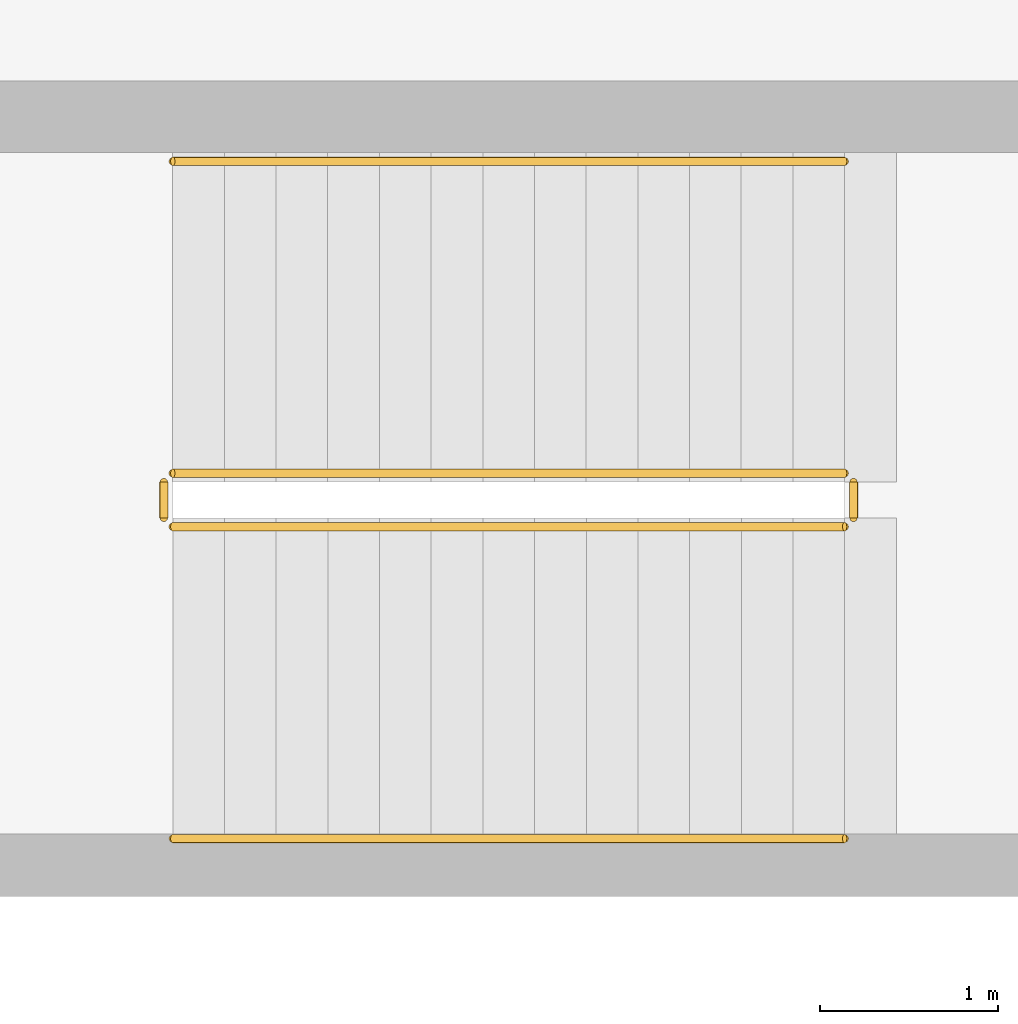
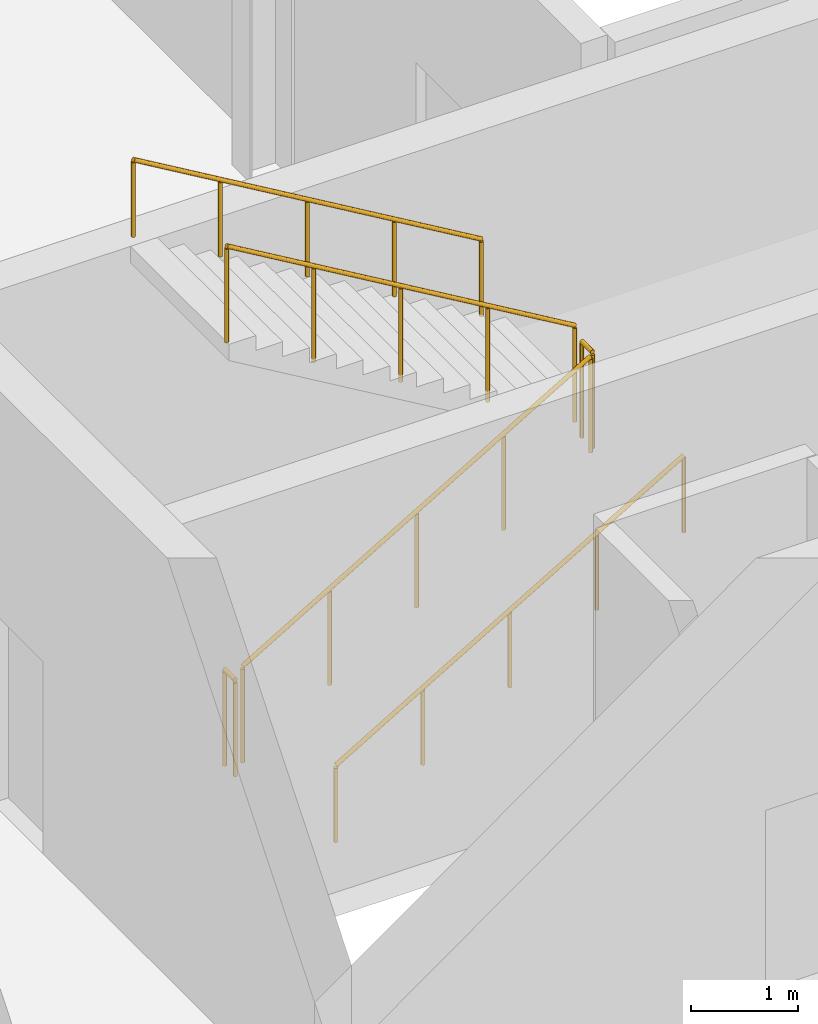
# One storey, part 84 of 91: 6 railings.
"""IFC4 building model written with IfcOpenShell, lengths in metres."""

from ifc_helpers import new_model, si_unit, direction, frame, origin, origin_2d, place, context, subcontext, project, spatial, circle, extrude, material, type_object, element, save


model = new_model("IFC4")

# Units and contexts
model_context = context("Model", 3, precision=1e-05, world=origin(), true_north=direction((0.0, 1.0)))
body_context = subcontext(model_context, "Body", "Model", "MODEL_VIEW")
ifc_project = project(units=[si_unit("LENGTHUNIT", "METRE"), si_unit("AREAUNIT", "SQUARE_METRE"), si_unit("VOLUMEUNIT", "CUBIC_METRE"), si_unit("PLANEANGLEUNIT", "RADIAN"), si_unit("MASSUNIT", "GRAM", prefix="KILO")], contexts=[model_context])

# Site, building, storey
site_placement = place(None, origin())
site = spatial("IfcSite", under=ifc_project, at=site_placement, CompositionType="ELEMENT")
building_placement = place(site_placement, origin())
building = spatial("IfcBuilding", under=site, at=building_placement, Name="Sollismere Congress Hotel", CompositionType="ELEMENT")
storey_placement = place(building_placement, frame((0.0, 0.0, 10.800048828125)))
storey = spatial("IfcBuildingStorey", under=building, at=storey_placement, Name="L02", CompositionType="ELEMENT", Elevation=10.800048828125)

# Railings
ifc_material_1 = material(Name="Steel ASTM A500 Grade C", Category="steel")
railing_type_1 = type_object("IfcRailingType", Name="RL-GRD112", PredefinedType="GUARDRAIL", material=ifc_material_1)
railing_1_placement = place(storey_placement, frame((52.85009765625, 16.25, 0.17138671875)))
element("IfcRailing", 1, at=railing_1_placement, inside=storey, type_object=railing_type_1, Name="RLG-RG-ST-06-L02-1", PredefinedType="GUARDRAIL", context=body_context, shape_type="SweptSolid", body=[
    extrude(circle(Radius=0.02392578125, at=origin_2d()), frame((0.0, 0.0, 1.09619140625), z_axis=(0.860848830602, 0.0, 0.508860777473), x_axis=(0.0, 1.0, 0.0)), (0.0, 0.0, 1.0), 4.37939453125),
    extrude(circle(Radius=0.02099609375, at=origin_2d()), origin(), (0.0, 0.0, 1.0), 1.072021484375),
    extrude(circle(Radius=0.02099609375, at=origin_2d()), frame((0.9423828125, 0.0, 0.55712890625)), (0.0, 0.0, 1.0), 1.072021484375),
    extrude(circle(Radius=0.02099609375, at=origin_2d()), frame((1.885009765625, 0.0, 1.1142578125)), (0.0, 0.0, 1.0), 1.072021484375),
    extrude(circle(Radius=0.02099609375, at=origin_2d()), frame((2.82763671875, 0.0, 1.67138671875)), (0.0, 0.0, 1.0), 1.072021484375),
    extrude(circle(Radius=0.02099609375, at=origin_2d()), frame((3.77001953125, 0.0, 2.228515625)), (0.0, 0.0, 1.0), 1.072021484375),
])
railing_2_placement = place(storey_placement, frame((56.669921875, 16.300048828125, 2.39990234375)))
element("IfcRailing", 2, at=railing_2_placement, inside=storey, type_object=railing_type_1, Name="RLG-RG-ST-06-L02-2", PredefinedType="GUARDRAIL", context=body_context, shape_type="SweptSolid", body=[
    extrude(circle(Radius=0.02392578125, at=origin_2d()), frame((0.0, 0.0, 1.09619140625), z_axis=(0.0, 1.0, 0.0), x_axis=(-1.0, 0.0, 0.0)), (0.0, 0.0, 1.0), 0.199951171875),
    extrude(circle(Radius=0.02099609375, at=origin_2d()), origin(), (0.0, 0.0, 1.0), 1.072021484375),
    extrude(circle(Radius=0.02099609375, at=origin_2d()), frame((0.0, 0.199951171875, 0.0)), (0.0, 0.0, 1.0), 1.072021484375),
])
railing_3_placement = place(storey_placement, frame((56.6201171875, 16.550048828125, 2.5712890625)))
element("IfcRailing", 3, at=railing_3_placement, inside=storey, type_object=railing_type_1, Name="RLG-RG-ST-06-L02-3", PredefinedType="GUARDRAIL", context=body_context, shape_type="SweptSolid", body=[
    extrude(circle(Radius=0.02392578125, at=origin_2d()), frame((0.0, 0.0, 1.09619140625), z_axis=(-0.860824410104, 0.0, 0.508902087802), x_axis=(0.0, -1.0, 0.0)), (0.0, 0.0, 1.0), 4.379638671875),
    extrude(circle(Radius=0.02099609375, at=origin_2d()), origin(), (0.0, 0.0, 1.0), 1.072021484375),
    extrude(circle(Radius=0.02099609375, at=origin_2d()), frame((-0.9423828125, 0.0, 0.55712890625)), (0.0, 0.0, 1.0), 1.072021484375),
    extrude(circle(Radius=0.02099609375, at=origin_2d()), frame((-1.885009765625, 0.0, 1.1142578125)), (0.0, 0.0, 1.0), 1.072021484375),
    extrude(circle(Radius=0.02099609375, at=origin_2d()), frame((-2.82763671875, 0.0, 1.671630859375)), (0.0, 0.0, 1.0), 1.072021484375),
    extrude(circle(Radius=0.02099609375, at=origin_2d()), frame((-3.77001953125, 0.0, 2.228759765625)), (0.0, 0.0, 1.0), 1.072021484375),
])
railing_4_placement = place(storey_placement, frame((52.800048828125, 16.300048828125, 0.0)))
element("IfcRailing", 4, at=railing_4_placement, inside=storey, type_object=railing_type_1, Name="RLG-RG-ST-06-L02-4", PredefinedType="GUARDRAIL", context=body_context, shape_type="SweptSolid", body=[
    extrude(circle(Radius=0.02392578125, at=origin_2d()), frame((0.0, 0.0, 1.09619140625), z_axis=(0.0, 1.0, 0.0), x_axis=(-1.0, 0.0, 0.0)), (0.0, 0.0, 1.0), 0.199951171875),
    extrude(circle(Radius=0.02099609375, at=origin_2d()), origin(), (0.0, 0.0, 1.0), 1.072021484375),
    extrude(circle(Radius=0.02099609375, at=origin_2d()), frame((0.0, 0.199951171875, 0.0)), (0.0, 0.0, 1.0), 1.072021484375),
])
ifc_material_2 = material(Name="Brushed Architectural Bronze")
railing_type_2 = type_object("IfcRailingType", Name="RL-HND90", PredefinedType="HANDRAIL", material=ifc_material_2)
railing_5_placement = place(storey_placement, frame((52.85009765625, 14.5, 0.31884765625)))
element("IfcRailing", 5, at=railing_5_placement, inside=storey, type_object=railing_type_2, Name="RLG-RH-ST-06-L02-1", PredefinedType="HANDRAIL", context=body_context, shape_type="SweptSolid", body=[
    extrude(circle(Radius=0.02392578125, at=origin_2d()), frame((0.0, 0.0, 0.8759765625), z_axis=(0.860848830602, 0.0, 0.508860777473), x_axis=(0.0, 1.0, 0.0)), (0.0, 0.0, 1.0), 4.37939453125),
    extrude(circle(Radius=0.02099609375, at=origin_2d()), origin(), (0.0, 0.0, 1.0), 0.851806640625),
    extrude(circle(Radius=0.02099609375, at=origin_2d()), frame((0.9423828125, 0.0, 0.55712890625)), (0.0, 0.0, 1.0), 0.851806640625),
    extrude(circle(Radius=0.02099609375, at=origin_2d()), frame((1.885009765625, 0.0, 1.1142578125)), (0.0, 0.0, 1.0), 0.851806640625),
    extrude(circle(Radius=0.02099609375, at=origin_2d()), frame((2.82763671875, 0.0, 1.67138671875)), (0.0, 0.0, 1.0), 0.851806640625),
    extrude(circle(Radius=0.02099609375, at=origin_2d()), frame((3.77001953125, 0.0, 2.228515625)), (0.0, 0.0, 1.0), 0.851806640625),
])
railing_6_placement = place(storey_placement, frame((56.6201171875, 18.300048828125, 2.71875)))
element("IfcRailing", 6, at=railing_6_placement, inside=storey, type_object=railing_type_2, Name="RLG-RH-ST-06-L02-2", PredefinedType="HANDRAIL", context=body_context, shape_type="SweptSolid", body=[
    extrude(circle(Radius=0.02392578125, at=origin_2d()), frame((0.0, 0.0, 0.8759765625), z_axis=(-0.860848830602, 0.0, 0.508860777473), x_axis=(0.0, -1.0, 0.0)), (0.0, 0.0, 1.0), 4.37939453125),
    extrude(circle(Radius=0.02099609375, at=origin_2d()), origin(), (0.0, 0.0, 1.0), 0.851806640625),
    extrude(circle(Radius=0.02099609375, at=origin_2d()), frame((-0.9423828125, 0.0, 0.55712890625)), (0.0, 0.0, 1.0), 0.851806640625),
    extrude(circle(Radius=0.02099609375, at=origin_2d()), frame((-1.885009765625, 0.0, 1.1142578125)), (0.0, 0.0, 1.0), 0.851806640625),
    extrude(circle(Radius=0.02099609375, at=origin_2d()), frame((-2.82763671875, 0.0, 1.67138671875)), (0.0, 0.0, 1.0), 0.851806640625),
    extrude(circle(Radius=0.02099609375, at=origin_2d()), frame((-3.77001953125, 0.0, 2.228515625)), (0.0, 0.0, 1.0), 0.851806640625),
])

save(model, "model.ifc")
